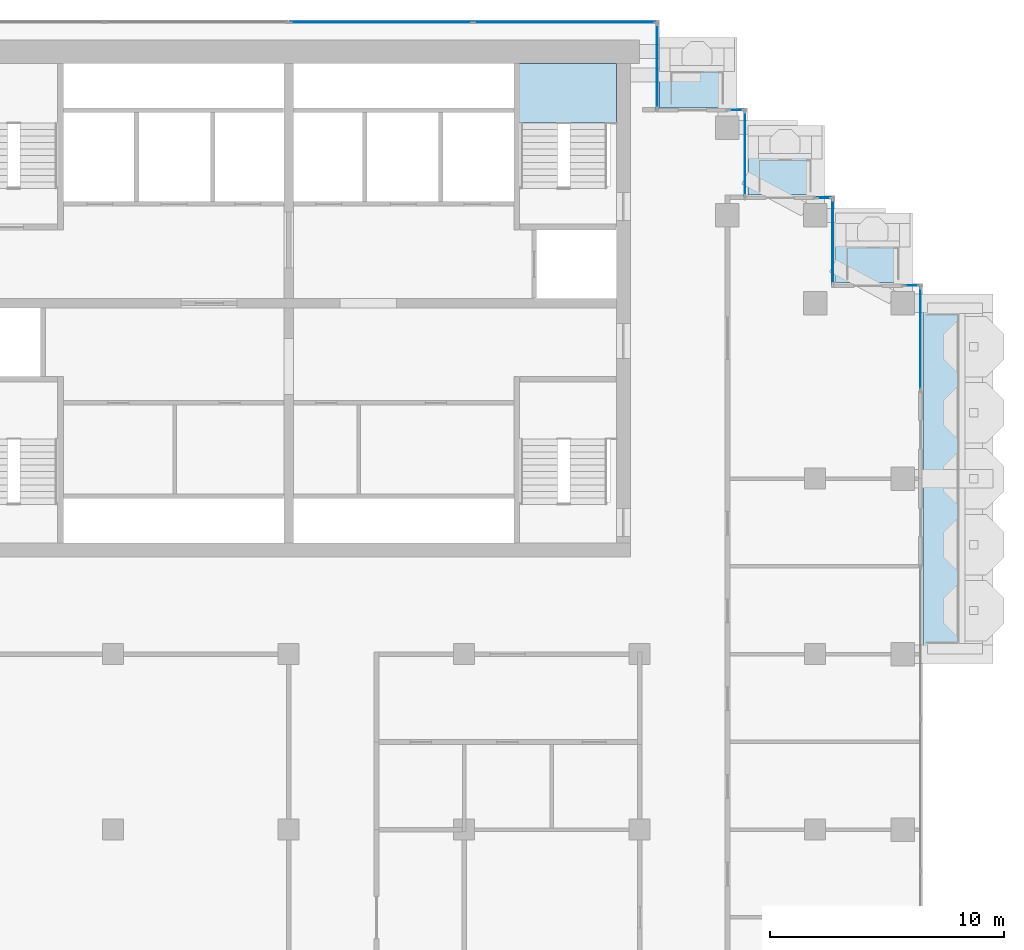
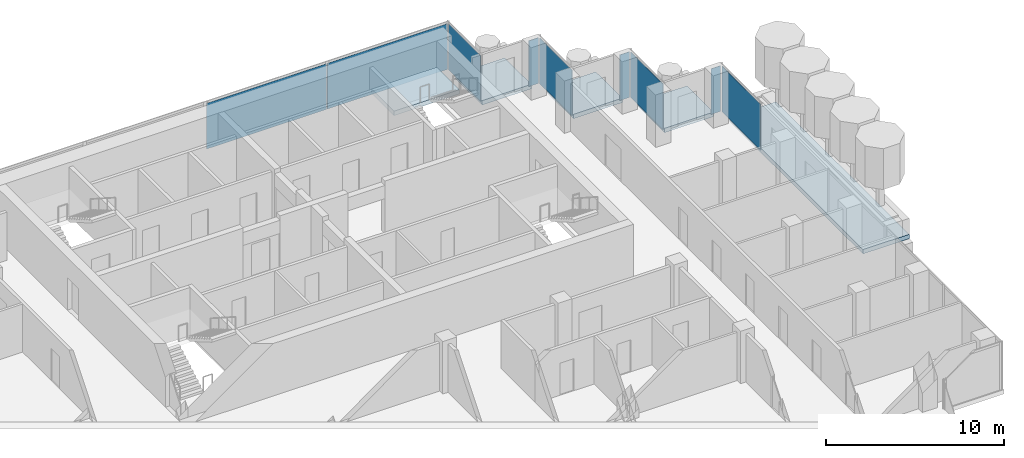
# One storey, part 10 of 19: 9 plates, 5 slabs, 9 elements without a shape of their own.
"""IFC4 building model written with IfcOpenShell, lengths in metres."""

from ifc_helpers import new_model, si_unit, direction, frame, origin, origin_2d, place, context, subcontext, project, spatial, polyline, rectangle, outline, extrude, material, layer, layer_set, type_object, element, aggregate, save


model = new_model("IFC4")

# Units and contexts
model_context = context("Model", 3, precision=1e-05, world=origin(), true_north=direction((0.0, 1.0)))
body_context = subcontext(model_context, "Body", "Model", "MODEL_VIEW")
ifc_project = project(units=[si_unit("LENGTHUNIT", "METRE"), si_unit("AREAUNIT", "SQUARE_METRE"), si_unit("VOLUMEUNIT", "CUBIC_METRE"), si_unit("PLANEANGLEUNIT", "RADIAN"), si_unit("MASSUNIT", "GRAM", prefix="KILO")], contexts=[model_context])

# Site, building, storey
site_placement = place(None, origin())
site = spatial("IfcSite", under=ifc_project, at=site_placement, CompositionType="ELEMENT")
building_placement = place(site_placement, origin())
building = spatial("IfcBuilding", under=site, at=building_placement, Name="Pilkhan Gate Tower", CompositionType="ELEMENT")
storey_placement = place(building_placement, frame((0.0, 0.0, 217.5)))
storey = spatial("IfcBuildingStorey", under=building, at=storey_placement, Name="L56", CompositionType="ELEMENT", Elevation=217.5)

# Slabs
ifc_material_1 = material(Name="Concrete C60/75", Category="concrete")
ifc_layer_1 = layer(ifc_material_1, 0.300048828125)
ifc_layer_set_1 = layer_set([ifc_layer_1], Name="Balcony tray slab TR300")
slab_type_1 = type_object("IfcSlabType", Name="Balcony tray slab TR300", PredefinedType="FLOOR", material=ifc_layer_set_1)
slab_1_placement = place(storey_placement, frame((0.0, 0.0, -0.300048828125)))
element("IfcSlab", 1, at=slab_1_placement, inside=storey, type_object=slab_type_1, Name="Balcony tray L56 E", PredefinedType="FLOOR", context=body_context, shape_type="SweptSolid", body=[
    extrude(outline(polyline([(105.10009765625, 67.5), (105.10009765625, 82.5), (102.10009765625, 82.5), (102.10009765625, 67.5), (105.10009765625, 67.5)])), origin(), (0.0, 0.0, 1.0), 0.300048828125),
])
slab_2_placement = place(storey_placement, frame((0.0, 0.0, -0.300048828125)))
element("IfcSlab", 2, at=slab_2_placement, inside=storey, type_object=slab_type_1, Name="Balcony tray L56 N", PredefinedType="FLOOR", context=body_context, shape_type="SweptSolid", body=[
    extrude(outline(polyline([(94.050048828125, 90.85009765625), (94.050048828125, 93.85009765625), (90.85009765625, 93.85009765625), (90.85009765625, 90.85009765625), (94.050048828125, 90.85009765625)])), origin(), (0.0, 0.0, 1.0), 0.300048828125),
])
slab_3_placement = place(storey_placement, frame((0.0, 0.0, -0.300048828125)))
element("IfcSlab", 3, at=slab_3_placement, inside=storey, type_object=slab_type_1, Name="Balcony tray L56 N", PredefinedType="FLOOR", context=body_context, shape_type="SweptSolid", body=[
    extrude(outline(polyline([(97.800048828125, 87.1201171875), (97.800048828125, 90.10009765625), (94.6201171875, 90.10009765625), (94.6201171875, 87.1201171875), (97.800048828125, 87.1201171875)])), origin(), (0.0, 0.0, 1.0), 0.300048828125),
])
slab_4_placement = place(storey_placement, frame((0.0, 0.0, -0.300048828125)))
element("IfcSlab", 4, at=slab_4_placement, inside=storey, type_object=slab_type_1, Name="Balcony tray L56 N", PredefinedType="FLOOR", context=body_context, shape_type="SweptSolid", body=[
    extrude(outline(polyline([(101.550048828125, 83.3701171875), (101.550048828125, 86.35009765625), (98.3701171875, 86.35009765625), (98.3701171875, 83.3701171875), (101.550048828125, 83.3701171875)])), origin(), (0.0, 0.0, 1.0), 0.300048828125),
])

# Curtain wall, plate
ifc_material_2 = material(Name="Pale anodised aluminium, clear low-iron double glazing", Category="aluminium")
curtain_wall_type = type_object("IfcCurtainWallType", Name="Office unitised curtain wall CW-O2", PredefinedType="USERDEFINED", material=ifc_material_2)
curtain_wall_1_placement = place(storey_placement, origin())
curtain_wall_1 = element("IfcCurtainWall", 5, at=curtain_wall_1_placement, inside=storey, type_object=curtain_wall_type, Name="Office unitised curtain wall CW-O2 L56 E", ObjectType="UNITISED CURTAIN WALL", PredefinedType="USERDEFINED")
ifc_material_3 = material(Name="Clear low-iron double glazing", Category="glass")
ifc_layer_2 = layer(ifc_material_3, 0.031982421875)
ifc_layer_set_2 = layer_set([ifc_layer_2], Name="Glass panel CW-O2 32")
plate_type = type_object("IfcPlateType", Name="Glass panel CW-O2 32", PredefinedType="CURTAIN_PANEL", material=ifc_layer_set_2)
plate_1_placement = place(storey_placement, frame((102.0, 81.0, 0.0), z_axis=(0.0, 0.0, 1.0), x_axis=(0.0, 1.0, 0.0)))
plate_1 = element("IfcPlate", 6, at=plate_1_placement, type_object=plate_type, Name="CW-O2 panel 1", PredefinedType="CURTAIN_PANEL", context=body_context, shape_type="SweptSolid", body=[
    extrude(rectangle(XDim=4.3701171875, YDim=0.031982421875, at=origin_2d()), origin(), (0.0, 0.0, 1.0), 3.135009765625),
])
aggregate(curtain_wall_1, [plate_1])

curtain_wall_2_placement = place(storey_placement, origin())
curtain_wall_2 = element("IfcCurtainWall", 7, at=curtain_wall_2_placement, inside=storey, type_object=curtain_wall_type, Name="Office unitised curtain wall CW-O2 L56 N", ObjectType="UNITISED CURTAIN WALL", PredefinedType="USERDEFINED")
plate_2_placement = place(storey_placement, frame((101.625, 83.25, 0.0), z_axis=(0.0, 0.0, 1.0), x_axis=(1.0, 0.0, 0.0)))
plate_2 = element("IfcPlate", 8, at=plate_2_placement, type_object=plate_type, Name="CW-O2 panel 1", PredefinedType="CURTAIN_PANEL", context=body_context, shape_type="SweptSolid", body=[
    extrude(rectangle(XDim=0.6201171875, YDim=0.031982421875, at=origin_2d()), origin(), (0.0, 0.0, 1.0), 3.135009765625),
])
aggregate(curtain_wall_2, [plate_2])

curtain_wall_3_placement = place(storey_placement, origin())
curtain_wall_3 = element("IfcCurtainWall", 9, at=curtain_wall_3_placement, inside=storey, type_object=curtain_wall_type, Name="Office unitised curtain wall CW-O2 L56 E", ObjectType="UNITISED CURTAIN WALL", PredefinedType="USERDEFINED")
plate_3_placement = place(storey_placement, frame((98.25, 85.125, 0.0), z_axis=(0.0, 0.0, 1.0), x_axis=(0.0, 1.0, 0.0)))
plate_3 = element("IfcPlate", 10, at=plate_3_placement, type_object=plate_type, Name="CW-O2 panel 1", PredefinedType="CURTAIN_PANEL", context=body_context, shape_type="SweptSolid", body=[
    extrude(rectangle(XDim=3.6201171875, YDim=0.031982421875, at=origin_2d()), origin(), (0.0, 0.0, 1.0), 3.135009765625),
])
aggregate(curtain_wall_3, [plate_3])

curtain_wall_4_placement = place(storey_placement, origin())
curtain_wall_4 = element("IfcCurtainWall", 11, at=curtain_wall_4_placement, inside=storey, type_object=curtain_wall_type, Name="Office unitised curtain wall CW-O2 L56 N", ObjectType="UNITISED CURTAIN WALL", PredefinedType="USERDEFINED")
plate_4_placement = place(storey_placement, frame((97.875, 87.0, 0.0), z_axis=(0.0, 0.0, 1.0), x_axis=(1.0, 0.0, 0.0)))
plate_4 = element("IfcPlate", 12, at=plate_4_placement, type_object=plate_type, Name="CW-O2 panel 1", PredefinedType="CURTAIN_PANEL", context=body_context, shape_type="SweptSolid", body=[
    extrude(rectangle(XDim=0.6201171875, YDim=0.031982421875, at=origin_2d()), origin(), (0.0, 0.0, 1.0), 3.135009765625),
])
aggregate(curtain_wall_4, [plate_4])

curtain_wall_5_placement = place(storey_placement, origin())
curtain_wall_5 = element("IfcCurtainWall", 13, at=curtain_wall_5_placement, inside=storey, type_object=curtain_wall_type, Name="Office unitised curtain wall CW-O2 L56 E", ObjectType="UNITISED CURTAIN WALL", PredefinedType="USERDEFINED")
plate_5_placement = place(storey_placement, frame((94.5, 88.875, 0.0), z_axis=(0.0, 0.0, 1.0), x_axis=(0.0, 1.0, 0.0)))
plate_5 = element("IfcPlate", 14, at=plate_5_placement, type_object=plate_type, Name="CW-O2 panel 1", PredefinedType="CURTAIN_PANEL", context=body_context, shape_type="SweptSolid", body=[
    extrude(rectangle(XDim=3.6201171875, YDim=0.031982421875, at=origin_2d()), origin(), (0.0, 0.0, 1.0), 3.135009765625),
])
aggregate(curtain_wall_5, [plate_5])

curtain_wall_6_placement = place(storey_placement, origin())
curtain_wall_6 = element("IfcCurtainWall", 15, at=curtain_wall_6_placement, inside=storey, type_object=curtain_wall_type, Name="Office unitised curtain wall CW-O2 L56 N", ObjectType="UNITISED CURTAIN WALL", PredefinedType="USERDEFINED")
plate_6_placement = place(storey_placement, frame((94.125, 90.75, 0.0), z_axis=(0.0, 0.0, 1.0), x_axis=(1.0, 0.0, 0.0)))
plate_6 = element("IfcPlate", 16, at=plate_6_placement, type_object=plate_type, Name="CW-O2 panel 1", PredefinedType="CURTAIN_PANEL", context=body_context, shape_type="SweptSolid", body=[
    extrude(rectangle(XDim=0.6201171875, YDim=0.031982421875, at=origin_2d()), origin(), (0.0, 0.0, 1.0), 3.135009765625),
])
aggregate(curtain_wall_6, [plate_6])

curtain_wall_7_placement = place(storey_placement, origin())
curtain_wall_7 = element("IfcCurtainWall", 17, at=curtain_wall_7_placement, inside=storey, type_object=curtain_wall_type, Name="Office unitised curtain wall CW-O2 L56 E", ObjectType="UNITISED CURTAIN WALL", PredefinedType="USERDEFINED")
plate_7_placement = place(storey_placement, frame((90.75, 92.625, 0.0), z_axis=(0.0, 0.0, 1.0), x_axis=(0.0, 1.0, 0.0)))
plate_7 = element("IfcPlate", 18, at=plate_7_placement, type_object=plate_type, Name="CW-O2 panel 1", PredefinedType="CURTAIN_PANEL", context=body_context, shape_type="SweptSolid", body=[
    extrude(rectangle(XDim=3.6201171875, YDim=0.031982421875, at=origin_2d()), origin(), (0.0, 0.0, 1.0), 3.135009765625),
])
aggregate(curtain_wall_7, [plate_7])

# Curtain wall, plates
curtain_wall_8_placement = place(storey_placement, origin())
curtain_wall_8 = element("IfcCurtainWall", 19, at=curtain_wall_8_placement, inside=storey, type_object=curtain_wall_type, Name="Office unitised curtain wall CW-O2 L56 N", ObjectType="UNITISED CURTAIN WALL", PredefinedType="USERDEFINED")
plate_8_placement = place(storey_placement, frame((78.953857421875, 94.5, 0.0), z_axis=(0.0, 0.0, 1.0), x_axis=(1.0, 0.0, 0.0)))
plate_8 = element("IfcPlate", 20, at=plate_8_placement, type_object=plate_type, Name="CW-O2 panel 1", PredefinedType="CURTAIN_PANEL", context=body_context, shape_type="SweptSolid", body=[
    extrude(rectangle(XDim=7.777587890625, YDim=0.031982421875, at=origin_2d()), origin(), (0.0, 0.0, 1.0), 3.135009765625),
])
plate_9_placement = place(storey_placement, frame((86.796142578125, 94.5, 0.0), z_axis=(0.0, 0.0, 1.0), x_axis=(1.0, 0.0, 0.0)))
plate_9 = element("IfcPlate", 21, at=plate_9_placement, type_object=plate_type, Name="CW-O2 panel 2", PredefinedType="CURTAIN_PANEL", context=body_context, shape_type="SweptSolid", body=[
    extrude(rectangle(XDim=7.777587890625, YDim=0.031982421875, at=origin_2d()), origin(), (0.0, 0.0, 1.0), 3.135009765625),
])
aggregate(curtain_wall_8, [plate_8, plate_9])

# Stair, slab
ifc_material_4 = material(Name="Concrete C40/50 precast", Category="concrete")
stair_type = type_object("IfcStairType", Name="Stair ST4 164x280", PredefinedType="HALF_TURN_STAIR", material=ifc_material_4)
stair_placement = place(storey_placement, origin())
stair = element("IfcStair", 22, at=stair_placement, inside=storey, type_object=stair_type, Name="Stair ST4 L56", PredefinedType="HALF_TURN_STAIR")
ifc_material_5 = material(Name="Concrete C40/50", Category="concrete")
ifc_layer_3 = layer(ifc_material_5, 0.199951171875)
ifc_layer_set_3 = layer_set([ifc_layer_3], Name="Stair landing SL200")
slab_type_2 = type_object("IfcSlabType", Name="Stair landing SL200", PredefinedType="LANDING", material=ifc_layer_set_3)
slab_5_placement = place(storey_placement, frame((0.0, 0.0, 1.5)))
slab_5 = element("IfcSlab", 23, at=slab_5_placement, type_object=slab_type_2, Name="ST4 landing 1", PredefinedType="LANDING", context=body_context, shape_type="SweptSolid", body=[
    extrude(outline(polyline([(89.0, 90.199951171875), (89.0, 92.75), (84.75, 92.75), (84.75, 90.199951171875), (89.0, 90.199951171875)])), origin(), (0.0, 0.0, 1.0), 0.300048828125),
])
aggregate(stair, [slab_5])

save(model, "model.ifc")
